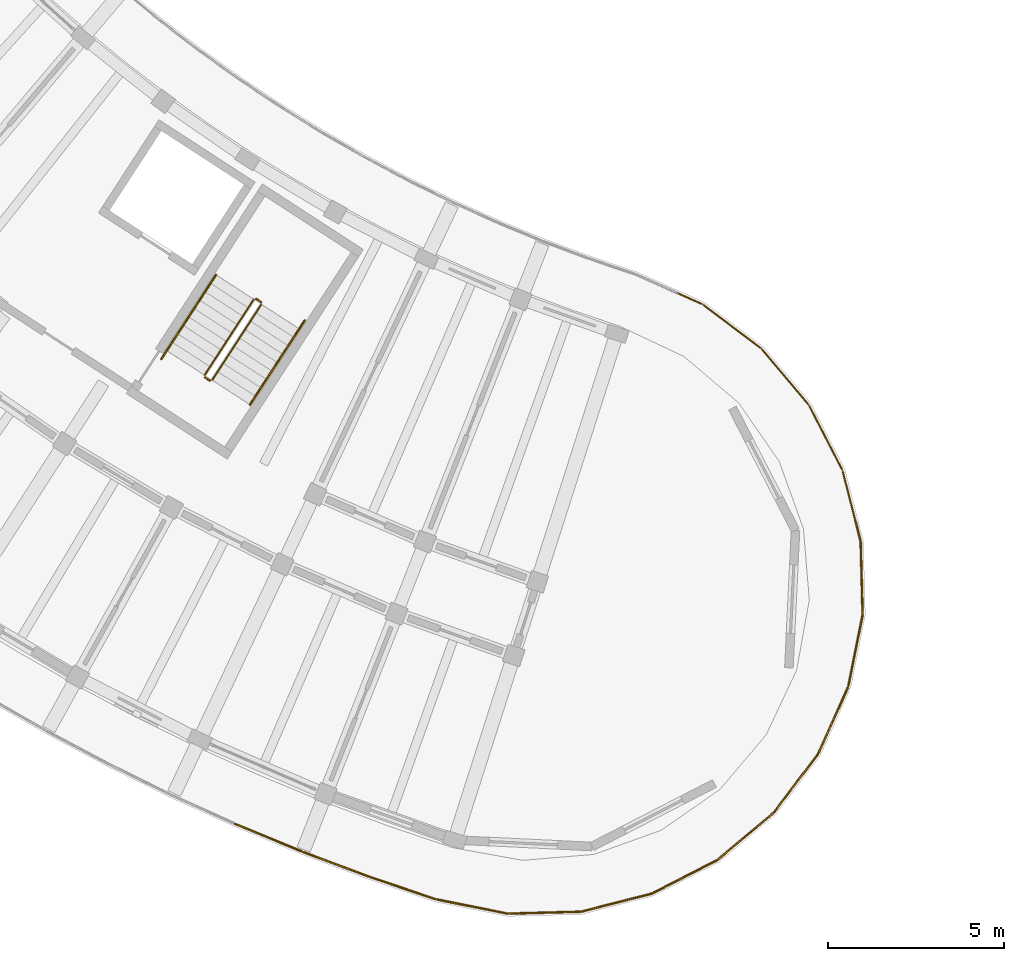
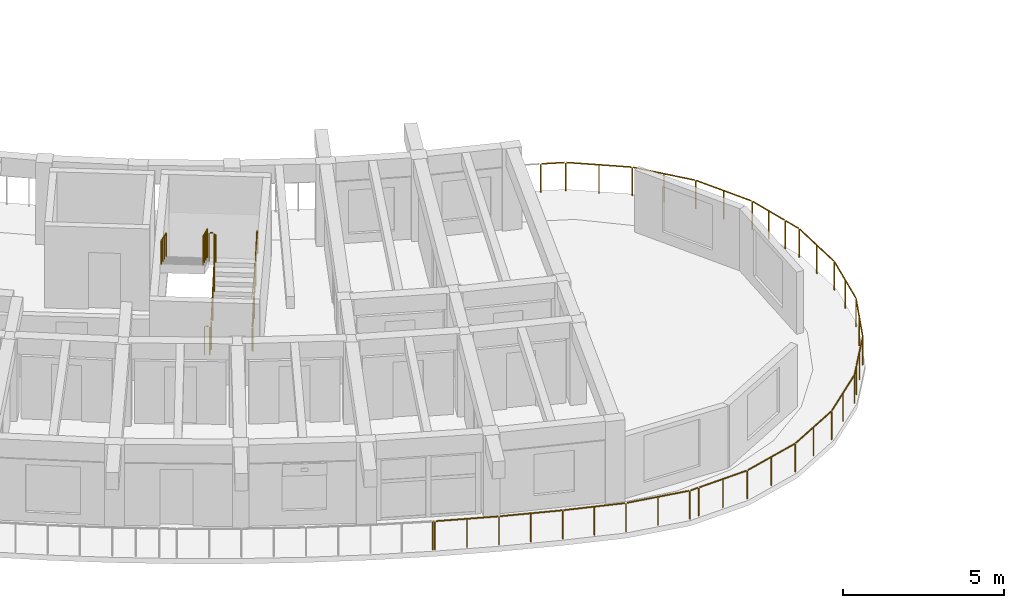
# One storey, part 66 of 83: 14 railings.
"""IFC4 building model written with IfcOpenShell, lengths in metres."""

from ifc_helpers import new_model, si_unit, direction, frame, origin, origin_2d, place, context, subcontext, project, spatial, circle, extrude, material, type_object, element, save


model = new_model("IFC4")

# Units and contexts
model_context = context("Model", 3, precision=1e-05, world=origin(), true_north=direction((0.0, 1.0)))
body_context = subcontext(model_context, "Body", "Model", "MODEL_VIEW")
ifc_project = project(units=[si_unit("LENGTHUNIT", "METRE"), si_unit("AREAUNIT", "SQUARE_METRE"), si_unit("VOLUMEUNIT", "CUBIC_METRE"), si_unit("PLANEANGLEUNIT", "RADIAN"), si_unit("MASSUNIT", "GRAM", prefix="KILO")], contexts=[model_context])

# Site, building, storey
site_placement = place(None, origin())
site = spatial("IfcSite", under=ifc_project, at=site_placement, CompositionType="ELEMENT")
building_placement = place(site_placement, origin())
building = spatial("IfcBuilding", under=site, at=building_placement, Name="Tanwirah Colonnade Gardens", CompositionType="ELEMENT")
storey_placement = place(building_placement, frame((0.0, 0.0, 25.639892578125)))
storey = spatial("IfcBuildingStorey", under=building, at=storey_placement, Name="L07", CompositionType="ELEMENT", Elevation=25.639892578125)

# Railings
ifc_material_1 = material(Name="Precast concrete C40/50", Category="concrete")
railing_type_1 = type_object("IfcRailingType", Name="BAL-EXT110", PredefinedType="BALUSTRADE", material=ifc_material_1)
railing_1_placement = place(storey_placement, frame((53.1806640625, 23.31591796875, 0.0)))
element("IfcRailing", 1, at=railing_1_placement, inside=storey, type_object=railing_type_1, Name="Block C L07 Balcony Ribbon Balustrade 6", PredefinedType="BALUSTRADE", context=body_context, shape_type="SweptSolid", body=[
    extrude(circle(Radius=0.02392578125, at=origin_2d()), frame((0.028564453125, -0.0126953125, 1.076171875), z_axis=(0.912307728323, -0.409505322116, 0.0), x_axis=(0.409505322116, 0.912307728323, 0.0)), (0.0, 0.0, 1.0), 0.71728515625),
    extrude(circle(Radius=0.02392578125, at=origin_2d()), frame((0.736328125, -0.338134765625, 1.076171875), z_axis=(0.798213561009, -0.602374560404, 0.0), x_axis=(0.602374560404, 0.798213561009, 0.0)), (0.0, 0.0, 1.0), 2.0244140625),
    extrude(circle(Radius=0.02392578125, at=origin_2d()), frame((2.397216796875, -1.600341796875, 1.076171875), z_axis=(0.644225801223, -0.764835352895, 0.0), x_axis=(0.764835352895, 0.644225801223, 0.0)), (0.0, 0.0, 1.0), 2.0244140625),
    extrude(circle(Radius=0.02392578125, at=origin_2d()), frame((3.736083984375, -3.200439453125, 1.076171875), z_axis=(0.45789775422, -0.889004863137, 0.0), x_axis=(0.889004863137, 0.45789775422, 0.0)), (0.0, 0.0, 1.0), 2.0244140625),
    extrude(circle(Radius=0.02392578125, at=origin_2d()), frame((4.68505859375, -5.05810546875, 1.076171875), z_axis=(0.24855241141, -0.968618448504, 0.0), x_axis=(0.968618448504, 0.24855241141, 0.0)), (0.0, 0.0, 1.0), 1.397216796875),
    extrude(circle(Radius=0.02099609375, at=origin_2d()), origin(), (0.0, 0.0, 1.0), 1.049072265625),
    extrude(circle(Radius=0.02099609375, at=origin_2d()), frame((0.71142578125, -0.3193359375, 0.0)), (0.0, 0.0, 1.0), 1.049072265625),
    extrude(circle(Radius=0.02099609375, at=origin_2d()), frame((1.54443359375, -0.94775390625, 0.0)), (0.0, 0.0, 1.0), 1.049072265625),
    extrude(circle(Radius=0.02099609375, at=origin_2d()), frame((2.377197265625, -1.576416015625, 0.0)), (0.0, 0.0, 1.0), 1.049072265625),
    extrude(circle(Radius=0.02099609375, at=origin_2d()), frame((3.04931640625, -2.37451171875, 0.0)), (0.0, 0.0, 1.0), 1.049072265625),
    extrude(circle(Radius=0.02099609375, at=origin_2d()), frame((3.7216796875, -3.172607421875, 0.0)), (0.0, 0.0, 1.0), 1.049072265625),
    extrude(circle(Radius=0.02099609375, at=origin_2d()), frame((4.199462890625, -4.10009765625, 0.0)), (0.0, 0.0, 1.0), 1.049072265625),
    extrude(circle(Radius=0.02099609375, at=origin_2d()), frame((4.67724609375, -5.02783203125, 0.0)), (0.0, 0.0, 1.0), 1.049072265625),
    extrude(circle(Radius=0.02099609375, at=origin_2d()), frame((4.858642578125, -5.73486328125, 0.0)), (0.0, 0.0, 1.0), 1.049072265625),
    extrude(circle(Radius=0.02099609375, at=origin_2d()), frame((5.0400390625, -6.441650390625, 0.0)), (0.0, 0.0, 1.0), 1.049072265625),
])
railing_2_placement = place(storey_placement, frame((58.220703125, 16.874267578125, 0.0)))
element("IfcRailing", 2, at=railing_2_placement, inside=storey, type_object=railing_type_1, Name="Block C L07 Balcony Ribbon Balustrade 7", PredefinedType="BALUSTRADE", context=body_context, shape_type="SweptSolid", body=[
    extrude(circle(Radius=0.02392578125, at=origin_2d()), frame((0.0078125, -0.0302734375, 1.076171875), z_axis=(0.248665579678, -0.968589401905, 0.0), x_axis=(0.968589401905, 0.248665579678, 0.0)), (0.0, 0.0, 1.0), 0.56494140625),
    extrude(circle(Radius=0.02392578125, at=origin_2d()), frame((0.15673828125, -0.638916015625, 1.076171875), z_axis=(0.026789679356, -0.999641092133, 0.0), x_axis=(0.999641092133, 0.026789679356, 0.0)), (0.0, 0.0, 1.0), 2.0244140625),
    extrude(circle(Radius=0.02392578125, at=origin_2d()), frame((0.205810546875, -2.724609375, 1.076171875), z_axis=(-0.196318623348, -0.980540156305, 0.0), x_axis=(0.980540156305, -0.196318623348, 0.0)), (0.0, 0.0, 1.0), 2.024169921875),
    extrude(circle(Radius=0.02392578125, at=origin_2d()), frame((-0.21044921875, -4.7685546875, 1.076171875), z_axis=(-0.409576493936, -0.912275778268, 0.0), x_axis=(0.912275778268, -0.409576493936, 0.0)), (0.0, 0.0, 1.0), 2.0244140625),
    extrude(circle(Radius=0.02392578125, at=origin_2d()), frame((-1.0712890625, -6.668701171875, 1.076171875), z_axis=(-0.602299490465, -0.798270207252, 0.0), x_axis=(0.798270207252, -0.602299490465, 0.0)), (0.0, 0.0, 1.0), 1.549560546875),
    extrude(circle(Radius=0.02099609375, at=origin_2d()), origin(), (0.0, 0.0, 1.0), 1.049072265625),
    extrude(circle(Radius=0.02099609375, at=origin_2d()), frame((0.156005859375, -0.607666015625, 0.0)), (0.0, 0.0, 1.0), 1.049072265625),
    extrude(circle(Radius=0.02099609375, at=origin_2d()), frame((0.18408203125, -1.65087890625, 0.0)), (0.0, 0.0, 1.0), 1.049072265625),
    extrude(circle(Radius=0.02099609375, at=origin_2d()), frame((0.2119140625, -2.69384765625, 0.0)), (0.0, 0.0, 1.0), 1.049072265625),
    extrude(circle(Radius=0.02099609375, at=origin_2d()), frame((0.007080078125, -3.716796875, 0.0)), (0.0, 0.0, 1.0), 1.049072265625),
    extrude(circle(Radius=0.02099609375, at=origin_2d()), frame((-0.19775390625, -4.739990234375, 0.0)), (0.0, 0.0, 1.0), 1.049072265625),
    extrude(circle(Radius=0.02099609375, at=origin_2d()), frame((-0.625, -5.69189453125, 0.0)), (0.0, 0.0, 1.0), 1.049072265625),
    extrude(circle(Radius=0.02099609375, at=origin_2d()), frame((-1.052490234375, -6.643798828125, 0.0)), (0.0, 0.0, 1.0), 1.049072265625),
    extrude(circle(Radius=0.02099609375, at=origin_2d()), frame((-1.5380859375, -7.287109375, 0.0)), (0.0, 0.0, 1.0), 1.049072265625),
    extrude(circle(Radius=0.02099609375, at=origin_2d()), frame((-2.0234375, -7.9306640625, 0.0)), (0.0, 0.0, 1.0), 1.049072265625),
])
railing_3_placement = place(storey_placement, frame((56.197265625, 8.943603515625, 0.0)))
element("IfcRailing", 3, at=railing_3_placement, inside=storey, type_object=railing_type_1, Name="Block C L07 Balcony Ribbon Balustrade 8", PredefinedType="BALUSTRADE", context=body_context, shape_type="SweptSolid", body=[
    extrude(circle(Radius=0.02392578125, at=origin_2d()), frame((-0.018798828125, -0.02490234375, 1.076171875), z_axis=(-0.602382191781, -0.798207801907, 0.0), x_axis=(0.798207801907, -0.602382191781, 0.0)), (0.0, 0.0, 1.0), 0.41259765625),
    extrude(circle(Radius=0.02392578125, at=origin_2d()), frame((-0.31005859375, -0.399169921875, 1.076171875), z_axis=(-0.764835352895, -0.644225801223, 0.0), x_axis=(0.644225801223, -0.764835352895, 0.0)), (0.0, 0.0, 1.0), 2.0244140625),
    extrude(circle(Radius=0.02392578125, at=origin_2d()), frame((-1.91015625, -1.738037109375, 1.076171875), z_axis=(-0.889052484273, -0.457805286348, 0.0), x_axis=(0.457805286348, -0.889052484273, 0.0)), (0.0, 0.0, 1.0), 2.024169921875),
    extrude(circle(Radius=0.02392578125, at=origin_2d()), frame((-3.767822265625, -2.686767578125, 1.076171875), z_axis=(-0.968609718191, -0.248586431299, 0.0), x_axis=(0.248586431299, -0.968609718191, 0.0)), (0.0, 0.0, 1.0), 2.0244140625),
    extrude(circle(Radius=0.02392578125, at=origin_2d()), frame((-5.790283203125, -3.198486328125, 1.076171875), z_axis=(-0.999639601345, -0.026845249538, 0.0), x_axis=(0.026845249538, -0.999639601345, 0.0)), (0.0, 0.0, 1.0), 1.701904296875),
    extrude(circle(Radius=0.02099609375, at=origin_2d()), origin(), (0.0, 0.0, 1.0), 1.049072265625),
    extrude(circle(Radius=0.02099609375, at=origin_2d()), frame((-0.2861328125, -0.379150390625, 0.0)), (0.0, 0.0, 1.0), 1.049072265625),
    extrude(circle(Radius=0.02099609375, at=origin_2d()), frame((-1.084228515625, -1.05126953125, 0.0)), (0.0, 0.0, 1.0), 1.049072265625),
    extrude(circle(Radius=0.02099609375, at=origin_2d()), frame((-1.88232421875, -1.7236328125, 0.0)), (0.0, 0.0, 1.0), 1.049072265625),
    extrude(circle(Radius=0.02099609375, at=origin_2d()), frame((-2.81005859375, -2.201171875, 0.0)), (0.0, 0.0, 1.0), 1.049072265625),
    extrude(circle(Radius=0.02099609375, at=origin_2d()), frame((-3.737548828125, -2.678955078125, 0.0)), (0.0, 0.0, 1.0), 1.049072265625),
    extrude(circle(Radius=0.02099609375, at=origin_2d()), frame((-4.748291015625, -2.9384765625, 0.0)), (0.0, 0.0, 1.0), 1.049072265625),
    extrude(circle(Radius=0.02099609375, at=origin_2d()), frame((-5.759033203125, -3.19775390625, 0.0)), (0.0, 0.0, 1.0), 1.049072265625),
    extrude(circle(Radius=0.02099609375, at=origin_2d()), frame((-6.640869140625, -3.221435546875, 0.0)), (0.0, 0.0, 1.0), 1.049072265625),
    extrude(circle(Radius=0.02099609375, at=origin_2d()), frame((-7.522705078125, -3.2451171875, 0.0)), (0.0, 0.0, 1.0), 1.049072265625),
])
railing_4_placement = place(storey_placement, frame((48.674560546875, 5.698486328125, 0.0)))
element("IfcRailing", 4, at=railing_4_placement, inside=storey, type_object=railing_type_1, Name="Block C L07 Balcony Ribbon Balustrade 9", PredefinedType="BALUSTRADE", context=body_context, shape_type="SweptSolid", body=[
    extrude(circle(Radius=0.02392578125, at=origin_2d()), frame((-0.03125, -0.000732421875, 1.076171875), z_axis=(-0.999649190069, -0.026485784748, 0.0), x_axis=(0.026485784748, -0.999649190069, 0.0)), (0.0, 0.0, 1.0), 0.260009765625),
    extrude(circle(Radius=0.02392578125, at=origin_2d()), frame((-0.353271484375, -0.00244140625, 1.076171875), z_axis=(-0.980544729013, 0.196295782955, 0.0), x_axis=(-0.196295782955, -0.980544729013, 0.0)), (0.0, 0.0, 1.0), 2.0283203125),
    extrude(circle(Radius=0.02392578125, at=origin_2d()), frame((-2.402099609375, 0.411865234375, 1.076171875), z_axis=(-0.947284297423, 0.320394225692, 0.0), x_axis=(-0.320394225692, -0.947284297423, 0.0)), (0.0, 0.0, 1.0), 1.93994140625),
    extrude(circle(Radius=0.02392578125, at=origin_2d()), frame((-4.298828125, 1.054443359375, 1.076171875), z_axis=(-0.93628917395, 0.351230099427, 0.0), x_axis=(-0.351230099427, -0.93628917395, 0.0)), (0.0, 0.0, 1.0), 1.9443359375),
    extrude(circle(Radius=0.02392578125, at=origin_2d()), frame((-6.17724609375, 1.76025390625, 1.076171875), z_axis=(-0.924299685122, 0.381667515102, 0.0), x_axis=(-0.381667515102, -0.924299685122, 0.0)), (0.0, 0.0, 1.0), 1.944091796875),
    extrude(circle(Radius=0.02392578125, at=origin_2d()), frame((-8.03173828125, 2.527099609375, 1.076171875), z_axis=(-0.911662867625, 0.410938944119, 0.0), x_axis=(-0.410938944119, -0.911662867625, 0.0)), (0.0, 0.0, 1.0), 0.008056640625),
    extrude(circle(Radius=0.02099609375, at=origin_2d()), origin(), (0.0, 0.0, 1.0), 1.049072265625),
    extrude(circle(Radius=0.02099609375, at=origin_2d()), frame((-0.322509765625, -0.008544921875, 0.0)), (0.0, 0.0, 1.0), 1.049072265625),
    extrude(circle(Radius=0.02099609375, at=origin_2d()), frame((-1.34765625, 0.19677734375, 0.0)), (0.0, 0.0, 1.0), 1.049072265625),
    extrude(circle(Radius=0.02099609375, at=origin_2d()), frame((-2.37255859375, 0.40185546875, 0.0)), (0.0, 0.0, 1.0), 1.049072265625),
    extrude(circle(Radius=0.02099609375, at=origin_2d()), frame((-3.321044921875, 0.72265625, 0.0)), (0.0, 0.0, 1.0), 1.049072265625),
    extrude(circle(Radius=0.02099609375, at=origin_2d()), frame((-4.26953125, 1.04345703125, 0.0)), (0.0, 0.0, 1.0), 1.049072265625),
    extrude(circle(Radius=0.02099609375, at=origin_2d()), frame((-5.208984375, 1.39599609375, 0.0)), (0.0, 0.0, 1.0), 1.049072265625),
    extrude(circle(Radius=0.02099609375, at=origin_2d()), frame((-6.1484375, 1.748291015625, 0.0)), (0.0, 0.0, 1.0), 1.049072265625),
    extrude(circle(Radius=0.02099609375, at=origin_2d()), frame((-7.07568359375, 2.13134765625, 0.0)), (0.0, 0.0, 1.0), 1.049072265625),
    extrude(circle(Radius=0.02099609375, at=origin_2d()), frame((-8.003173828125, 2.51416015625, 0.0)), (0.0, 0.0, 1.0), 1.049072265625),
    extrude(circle(Radius=0.02099609375, at=origin_2d()), frame((-8.067626953125, 2.543212890625, 0.0)), (0.0, 0.0, 1.0), 1.049072265625),
])
ifc_material_2 = material(Name="Powder-coated galvanized steel", Category="steel")
railing_type_2 = type_object("IfcRailingType", Name="GRD-ST110", PredefinedType="GUARDRAIL", material=ifc_material_2)
railing_5_placement = place(storey_placement, frame((39.955078125, 20.84814453125, 0.168212890625)))
element("IfcRailing", 5, at=railing_5_placement, inside=storey, type_object=railing_type_2, Name="L07 ST-C2 stair guard 1", PredefinedType="GUARDRAIL", context=body_context, shape_type="SweptSolid", body=[
    extrude(circle(Radius=0.02392578125, at=origin_2d()), frame((0.0146484375, 0.022705078125, 1.092041015625), z_axis=(0.469192556557, 0.722484378858, 0.507813614603), x_axis=(-0.838667537708, 0.544643701143, 0.0)), (0.0, 0.0, 1.0), 2.914794921875),
    extrude(circle(Radius=0.02099609375, at=origin_2d()), origin(), (0.0, 0.0, 1.0), 1.049072265625),
    extrude(circle(Radius=0.02099609375, at=origin_2d()), frame((0.465576171875, 0.717041015625, 0.50390625)), (0.0, 0.0, 1.0), 1.049072265625),
    extrude(circle(Radius=0.02099609375, at=origin_2d()), frame((0.931396484375, 1.43408203125, 1.008056640625)), (0.0, 0.0, 1.0), 1.049072265625),
    extrude(circle(Radius=0.02099609375, at=origin_2d()), frame((1.39697265625, 2.151123046875, 1.511962890625)), (0.0, 0.0, 1.0), 1.049072265625),
])
railing_6_placement = place(storey_placement, frame((41.33740234375, 23.068603515625, 1.68017578125)))
element("IfcRailing", 6, at=railing_6_placement, inside=storey, type_object=railing_type_2, Name="L07 ST-C2 stair guard 2", PredefinedType="GUARDRAIL", context=body_context, shape_type="SweptSolid", body=[
    extrude(circle(Radius=0.02392578125, at=origin_2d()), frame((-0.026123046875, 0.01708984375, 1.076171875), z_axis=(-0.838791880614, 0.544452184326, 0.0), x_axis=(-0.544452184326, -0.838791880614, 0.0)), (0.0, 0.0, 1.0), 0.09765625),
    extrude(circle(Radius=0.02099609375, at=origin_2d()), origin(), (0.0, 0.0, 1.0), 1.049072265625),
    extrude(circle(Radius=0.02099609375, at=origin_2d()), frame((-0.13427734375, 0.087158203125, 0.0)), (0.0, 0.0, 1.0), 1.049072265625),
])
railing_7_placement = place(storey_placement, frame((41.134033203125, 23.140869140625, 1.84814453125)))
element("IfcRailing", 7, at=railing_7_placement, inside=storey, type_object=railing_type_2, Name="L07 ST-C2 stair guard 3", PredefinedType="GUARDRAIL", context=body_context, shape_type="SweptSolid", body=[
    extrude(circle(Radius=0.02392578125, at=origin_2d()), frame((-0.0146484375, -0.022705078125, 1.092041015625), z_axis=(-0.469192556557, -0.722484378858, 0.507813614603), x_axis=(0.838667537708, -0.544643701143, 0.0)), (0.0, 0.0, 1.0), 2.914794921875),
    extrude(circle(Radius=0.02099609375, at=origin_2d()), origin(), (0.0, 0.0, 1.0), 1.049072265625),
    extrude(circle(Radius=0.02099609375, at=origin_2d()), frame((-0.465576171875, -0.717041015625, 0.50390625)), (0.0, 0.0, 1.0), 1.049072265625),
    extrude(circle(Radius=0.02099609375, at=origin_2d()), frame((-0.931396484375, -1.43408203125, 1.008056640625)), (0.0, 0.0, 1.0), 1.049072265625),
    extrude(circle(Radius=0.02099609375, at=origin_2d()), frame((-1.39697265625, -2.151123046875, 1.511962890625)), (0.0, 0.0, 1.0), 1.049072265625),
])
railing_8_placement = place(storey_placement, frame((39.8857421875, 20.83349609375, 0.0)))
element("IfcRailing", 8, at=railing_8_placement, inside=storey, type_object=railing_type_2, Name="L07 ST-C2 stair guard 4", PredefinedType="GUARDRAIL", context=body_context, shape_type="SweptSolid", body=[
    extrude(circle(Radius=0.02392578125, at=origin_2d()), frame((-0.026123046875, 0.01708984375, 1.076171875), z_axis=(-0.838338936283, 0.545149362938, 0.0), x_axis=(-0.545149362938, -0.838338936283, 0.0)), (0.0, 0.0, 1.0), 0.097412109375),
    extrude(circle(Radius=0.02099609375, at=origin_2d()), origin(), (0.0, 0.0, 1.0), 1.049072265625),
    extrude(circle(Radius=0.02099609375, at=origin_2d()), frame((-0.134033203125, 0.087158203125, 0.0)), (0.0, 0.0, 1.0), 1.049072265625),
])
ifc_material_3 = material(Name="Brushed bronze stainless steel", Category="steel")
railing_type_3 = type_object("IfcRailingType", Name="HR-ST090", PredefinedType="HANDRAIL", material=ifc_material_3)
for number, where, name in (
    (9, (41.028564453125, 20.151123046875, 0.168212890625), "L07 ST-C2 stair handrail 1"),
    (10, (41.5458984375, 20.94775390625, 0.734130859375), "L07 ST-C2 stair handrail 2"),
):
    element("IfcRailing", number, at=place(storey_placement, frame(where)), inside=storey, type_object=railing_type_3, Name=name, PredefinedType="HANDRAIL", context=body_context, shape_type="SweptSolid", body=[
        extrude(circle(Radius=0.02392578125, at=origin_2d()), frame((0.0146484375, 0.0224609375, 0.891845703125), z_axis=(0.467889522294, 0.720492454576, 0.511830067333), x_axis=(-0.838672561027, 0.544635965926, 0.0)), (0.0, 0.0, 1.0), 1.043212890625),
        extrude(circle(Radius=0.02099609375, at=origin_2d()), origin(), (0.0, 0.0, 1.0), 0.848876953125),
        extrude(circle(Radius=0.02099609375, at=origin_2d()), frame((0.517333984375, 0.796630859375, 0.56591796875)), (0.0, 0.0, 1.0), 0.848876953125),
    ])
railing_9_placement = place(storey_placement, frame((42.063232421875, 21.744384765625, 1.300048828125)))
element("IfcRailing", 11, at=railing_9_placement, inside=storey, type_object=railing_type_3, Name="L07 ST-C2 stair handrail 3", PredefinedType="HANDRAIL", context=body_context, shape_type="SweptSolid", body=[
    extrude(circle(Radius=0.02392578125, at=origin_2d()), frame((0.0146484375, 0.0224609375, 0.891845703125), z_axis=(0.467934656569, 0.720442792, 0.511858711596), x_axis=(-0.838631412534, 0.544699324317, 0.0)), (0.0, 0.0, 1.0), 1.04345703125),
    extrude(circle(Radius=0.02099609375, at=origin_2d()), origin(), (0.0, 0.0, 1.0), 0.848876953125),
    extrude(circle(Radius=0.02099609375, at=origin_2d()), frame((0.517578125, 0.796875, 0.566162109375)), (0.0, 0.0, 1.0), 0.848876953125),
])
railing_10_placement = place(storey_placement, frame((40.060546875, 23.838134765625, 1.84814453125)))
element("IfcRailing", 12, at=railing_10_placement, inside=storey, type_object=railing_type_3, Name="L07 ST-C2 stair handrail 4", PredefinedType="HANDRAIL", context=body_context, shape_type="SweptSolid", body=[
    extrude(circle(Radius=0.02392578125, at=origin_2d()), frame((-0.0146484375, -0.0224609375, 0.891845703125), z_axis=(-0.467987521127, -0.720524183471, 0.511695789609), x_axis=(0.838631412534, -0.544699324317, 0.0)), (0.0, 0.0, 1.0), 1.04345703125),
    extrude(circle(Radius=0.02099609375, at=origin_2d()), origin(), (0.0, 0.0, 1.0), 0.848876953125),
    extrude(circle(Radius=0.02099609375, at=origin_2d()), frame((-0.517578125, -0.796875, 0.56591796875)), (0.0, 0.0, 1.0), 0.848876953125),
])
railing_11_placement = place(storey_placement, frame((39.54296875, 23.041259765625, 2.4140625)))
element("IfcRailing", 13, at=railing_11_placement, inside=storey, type_object=railing_type_3, Name="L07 ST-C2 stair handrail 5", PredefinedType="HANDRAIL", context=body_context, shape_type="SweptSolid", body=[
    extrude(circle(Radius=0.02392578125, at=origin_2d()), frame((-0.0146484375, -0.0224609375, 0.891845703125), z_axis=(-0.467836641068, -0.720411023977, 0.511993001717), x_axis=(0.838672561027, -0.544635965926, 0.0)), (0.0, 0.0, 1.0), 1.043212890625),
    extrude(circle(Radius=0.02099609375, at=origin_2d()), origin(), (0.0, 0.0, 1.0), 0.848876953125),
    extrude(circle(Radius=0.02099609375, at=origin_2d()), frame((-0.517333984375, -0.796630859375, 0.566162109375)), (0.0, 0.0, 1.0), 0.848876953125),
])
railing_12_placement = place(storey_placement, frame((39.025634765625, 22.24462890625, 2.980224609375)))
element("IfcRailing", 14, at=railing_12_placement, inside=storey, type_object=railing_type_3, Name="L07 ST-C2 stair handrail 6", PredefinedType="HANDRAIL", context=body_context, shape_type="SweptSolid", body=[
    extrude(circle(Radius=0.02392578125, at=origin_2d()), frame((-0.0146484375, -0.0224609375, 0.891845703125), z_axis=(-0.467889522294, -0.720492454576, 0.511830067333), x_axis=(0.838672561027, -0.544635965926, 0.0)), (0.0, 0.0, 1.0), 1.043212890625),
    extrude(circle(Radius=0.02099609375, at=origin_2d()), origin(), (0.0, 0.0, 1.0), 0.848876953125),
    extrude(circle(Radius=0.02099609375, at=origin_2d()), frame((-0.517333984375, -0.796630859375, 0.56591796875)), (0.0, 0.0, 1.0), 0.848876953125),
])

save(model, "model.ifc")
